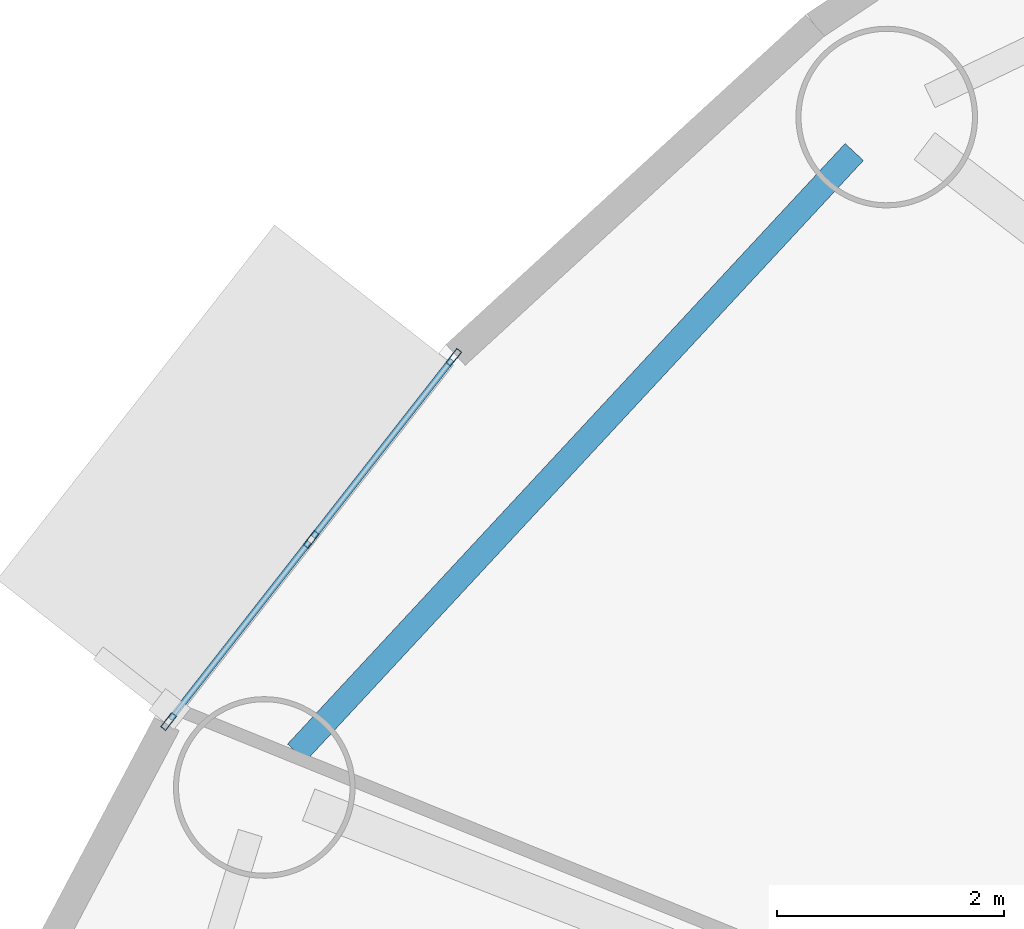
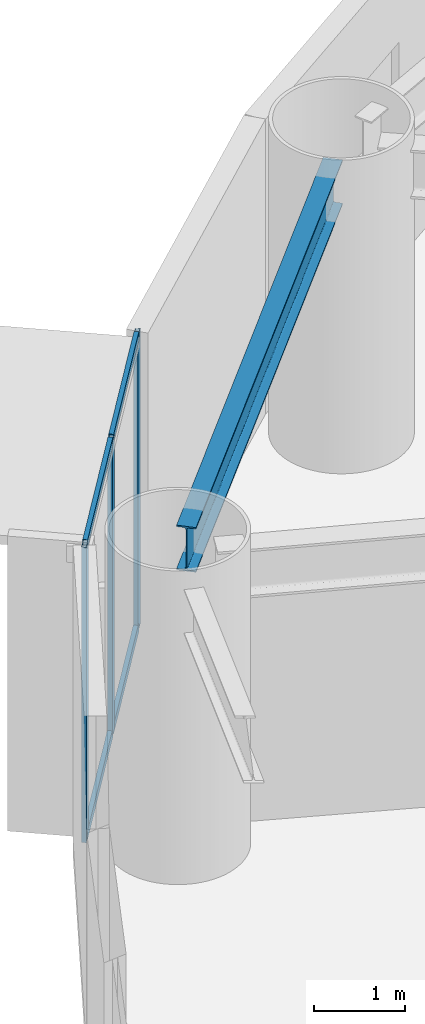
# One storey, part 10 of 35: 7 members, 1 beam, 1 element without a shape of its own.
"""IFC4 building model written with IfcOpenShell, lengths in metres."""

from ifc_helpers import new_model, si_unit, direction, frame, origin, origin_2d, place, context, subcontext, project, spatial, hollow_rectangle, i_section, extrude, source, transform, mapped, material, layer, layer_set, material_profile, profile_set, type_object, element, aggregate, save


model = new_model("IFC4")

# Units and contexts
model_context = context("Model", 3, precision=1e-05, world=origin(), true_north=direction((0.0, 1.0)))
body_context = subcontext(model_context, "Body", "Model", "MODEL_VIEW")
ifc_project = project(units=[si_unit("LENGTHUNIT", "METRE"), si_unit("AREAUNIT", "SQUARE_METRE"), si_unit("VOLUMEUNIT", "CUBIC_METRE"), si_unit("PLANEANGLEUNIT", "RADIAN"), si_unit("MASSUNIT", "GRAM", prefix="KILO")], contexts=[model_context])

# Site, building, storey
site_placement = place(None, origin())
site = spatial("IfcSite", under=ifc_project, at=site_placement, CompositionType="ELEMENT")
building_placement = place(site_placement, origin())
building = spatial("IfcBuilding", under=site, at=building_placement, Name="Linh Dai School and Residence Tower", CompositionType="ELEMENT")
storey_placement = place(building_placement, frame((0.0, 0.0, 49.199951171875)))
storey = spatial("IfcBuildingStorey", under=building, at=storey_placement, Name="L11", CompositionType="ELEMENT", Elevation=49.199951171875)

# Beam
ifc_material_1 = material(Name="Structural Steel S355JR", Category="steel")
ifc_material_profile_1 = material_profile(ifc_material_1, i_section(OverallWidth=0.219970703125, OverallDepth=0.60009765625, WebThickness=0.011962890625, FlangeThickness=0.01904296875, FilletRadius=0.02392578125, at=origin_2d()), Name="IPE 600")
ifc_profile_set_1 = profile_set([ifc_material_profile_1], Name="Structural Steel S355JR")
beam_type = type_object("IfcBeamType", Name="BM-RB60", PredefinedType="BEAM", material=ifc_profile_set_1)
beam_placement = place(storey_placement, frame((14.361572265625, 43.061279296875, 3.650146484375), z_axis=(-0.680408287194, -0.732833243458, 0.0), x_axis=(0.732833243458, -0.680408287194, 0.0)))
element("IfcBeam", 1, at=beam_placement, inside=storey, type_object=beam_type, Name="L11 Perimeter Elliptical Ring Beam 07", PredefinedType="BEAM", context=body_context, shape_type="SweptSolid", body=[
    extrude(i_section(OverallWidth=0.219970703125, OverallDepth=0.60009765625, WebThickness=0.011962890625, FlangeThickness=0.01904296875, FilletRadius=0.02392578125, at=origin_2d()), origin(), (0.0, 0.0, 1.0), 7.21826171875),
])

# Curtain wall, members
ifc_material_2 = material(Name="Aluminium Anodised Curtain Wall", Category="aluminium")
ifc_layer = layer(ifc_material_2, 0.159912109375)
ifc_layer_set = layer_set([ifc_layer], Name="Aluminium Anodised Curtain Wall")
curtain_wall_type = type_object("IfcCurtainWallType", Name="CW-SYS-3", PredefinedType="USERDEFINED", material=ifc_layer_set)
curtain_wall_placement = place(storey_placement, origin())
curtain_wall = element("IfcCurtainWall", 2, at=curtain_wall_placement, inside=storey, type_object=curtain_wall_type, Name="L11 CW3 Curtain Wall 17", ObjectType="RIBBON CURTAIN WALL", PredefinedType="USERDEFINED")
ifc_material_3 = material(Name="Aluminium Alloy 6063-T6", Category="aluminium")
ifc_material_profile_2 = material_profile(ifc_material_3, hollow_rectangle(XDim=0.054931640625, YDim=0.1201171875, WallThickness=0.00390625, at=origin_2d()), Name="RHS 120x55x4")
ifc_profile_set_2 = profile_set([ifc_material_profile_2], Name="Aluminium Alloy 6063-T6")
member_type_1 = type_object("IfcMemberType", Name="CW-SYS-3-TRN", PredefinedType="USERDEFINED", material=ifc_profile_set_2)
shared_shape_1 = source(origin(), body_context, "Body", "SweptSolid", [
    extrude(hollow_rectangle(XDim=0.054931640625, YDim=0.1201171875, WallThickness=0.00390625, at=origin_2d()), origin(), (0.0, 0.0, 1.0), 1.98193359375),
])
member_1_placement = place(storey_placement, frame((8.33935546875, 38.066162109375, 0.027587890625), z_axis=(0.616291654008, 0.787517998016, 0.0), x_axis=(-0.787517998016, 0.616291654008, 0.0)))
member_1 = element("IfcMember", 3, at=member_1_placement, type_object=member_type_1, Name="CW3 transom 1.1", ObjectType="TRANSOM", PredefinedType="USERDEFINED", context=body_context, shape_type="MappedRepresentation", body=[
    mapped(shared_shape_1, transform((0.0, 0.0, 0.0), x_axis=(1.0, 0.0, 0.0), y_axis=(0.0, 1.0, 0.0), z_axis=(0.0, 0.0, 1.0), scale=1.0)),
])
member_2_placement = place(storey_placement, frame((8.33935546875, 38.066162109375, 3.922607421875), z_axis=(0.616291654008, 0.787517998016, 0.0), x_axis=(-0.787517998016, 0.616291654008, 0.0)))
member_2 = element("IfcMember", 4, at=member_2_placement, type_object=member_type_1, Name="CW3 transom 1.2", ObjectType="TRANSOM", PredefinedType="USERDEFINED", context=body_context, shape_type="MappedRepresentation", body=[
    mapped(shared_shape_1, transform((0.0, 0.0, 0.0), x_axis=(1.0, 0.0, 0.0), y_axis=(0.0, 1.0, 0.0), z_axis=(0.0, 0.0, 1.0), scale=1.0)),
])
shared_shape_2 = source(origin(), body_context, "Body", "SweptSolid", [
    extrude(hollow_rectangle(XDim=0.054931640625, YDim=0.1201171875, WallThickness=0.00390625, at=origin_2d()), origin(), (0.0, 0.0, 1.0), 1.982177734375),
])
member_3_placement = place(storey_placement, frame((9.5947265625, 39.67041015625, 0.027587890625), z_axis=(0.616368042389, 0.787458212429, 0.0), x_axis=(-0.787458212429, 0.616368042389, 0.0)))
member_3 = element("IfcMember", 5, at=member_3_placement, type_object=member_type_1, Name="CW3 transom 2.1", ObjectType="TRANSOM", PredefinedType="USERDEFINED", context=body_context, shape_type="MappedRepresentation", body=[
    mapped(shared_shape_2, transform((0.0, 0.0, 0.0), x_axis=(1.0, 0.0, 0.0), y_axis=(0.0, 1.0, 0.0), z_axis=(0.0, 0.0, 1.0), scale=1.0)),
])
member_4_placement = place(storey_placement, frame((9.5947265625, 39.67041015625, 3.922607421875), z_axis=(0.616368042389, 0.787458212429, 0.0), x_axis=(-0.787458212429, 0.616368042389, 0.0)))
member_4 = element("IfcMember", 6, at=member_4_placement, type_object=member_type_1, Name="CW3 transom 2.2", ObjectType="TRANSOM", PredefinedType="USERDEFINED", context=body_context, shape_type="MappedRepresentation", body=[
    mapped(shared_shape_2, transform((0.0, 0.0, 0.0), x_axis=(1.0, 0.0, 0.0), y_axis=(0.0, 1.0, 0.0), z_axis=(0.0, 0.0, 1.0), scale=1.0)),
])
ifc_material_profile_3 = material_profile(ifc_material_3, hollow_rectangle(XDim=0.054931640625, YDim=0.159912109375, WallThickness=0.00390625, at=origin_2d()), Name="RHS 160x55x4")
ifc_profile_set_3 = profile_set([ifc_material_profile_3], Name="Aluminium Alloy 6063-T6")
member_type_2 = type_object("IfcMemberType", Name="CW-SYS-3-MUL", PredefinedType="MULLION", material=ifc_profile_set_3)
shared_shape_3 = source(origin(), body_context, "Body", "SweptSolid", [
    extrude(hollow_rectangle(XDim=0.054931640625, YDim=0.159912109375, WallThickness=0.00390625, at=origin_2d()), origin(), (0.0, 0.0, 1.0), 3.949951171875),
])
member_5_placement = place(storey_placement, frame((8.322265625, 38.04443359375, 0.0), z_axis=(0.0, 0.0, 1.0), x_axis=(-0.787496262172, 0.616319427785, 0.0)))
member_5 = element("IfcMember", 7, at=member_5_placement, type_object=member_type_2, Name="CW3 mullion 1", PredefinedType="MULLION", context=body_context, shape_type="MappedRepresentation", body=[
    mapped(shared_shape_3, transform((0.0, 0.0, 0.0), x_axis=(1.0, 0.0, 0.0), y_axis=(0.0, 1.0, 0.0), z_axis=(0.0, 0.0, 1.0), scale=1.0)),
])
member_6_placement = place(storey_placement, frame((9.577880859375, 39.648681640625, 0.0), z_axis=(0.0, 0.0, 1.0), x_axis=(-0.787496262172, 0.616319427785, 0.0)))
member_6 = element("IfcMember", 8, at=member_6_placement, type_object=member_type_2, Name="CW3 mullion 2", PredefinedType="MULLION", context=body_context, shape_type="MappedRepresentation", body=[
    mapped(shared_shape_3, transform((0.0, 0.0, 0.0), x_axis=(1.0, 0.0, 0.0), y_axis=(0.0, 1.0, 0.0), z_axis=(0.0, 0.0, 1.0), scale=1.0)),
])
member_7_placement = place(storey_placement, frame((10.833251953125, 41.2529296875, 0.0), z_axis=(0.0, 0.0, 1.0), x_axis=(-0.787496262172, 0.616319427785, 0.0)))
member_7 = element("IfcMember", 9, at=member_7_placement, type_object=member_type_2, Name="CW3 mullion 3", PredefinedType="MULLION", context=body_context, shape_type="MappedRepresentation", body=[
    mapped(shared_shape_3, transform((0.0, 0.0, 0.0), x_axis=(1.0, 0.0, 0.0), y_axis=(0.0, 1.0, 0.0), z_axis=(0.0, 0.0, 1.0), scale=1.0)),
])
aggregate(curtain_wall, [member_5, member_6, member_7, member_1, member_2, member_3, member_4])

save(model, "model.ifc")
